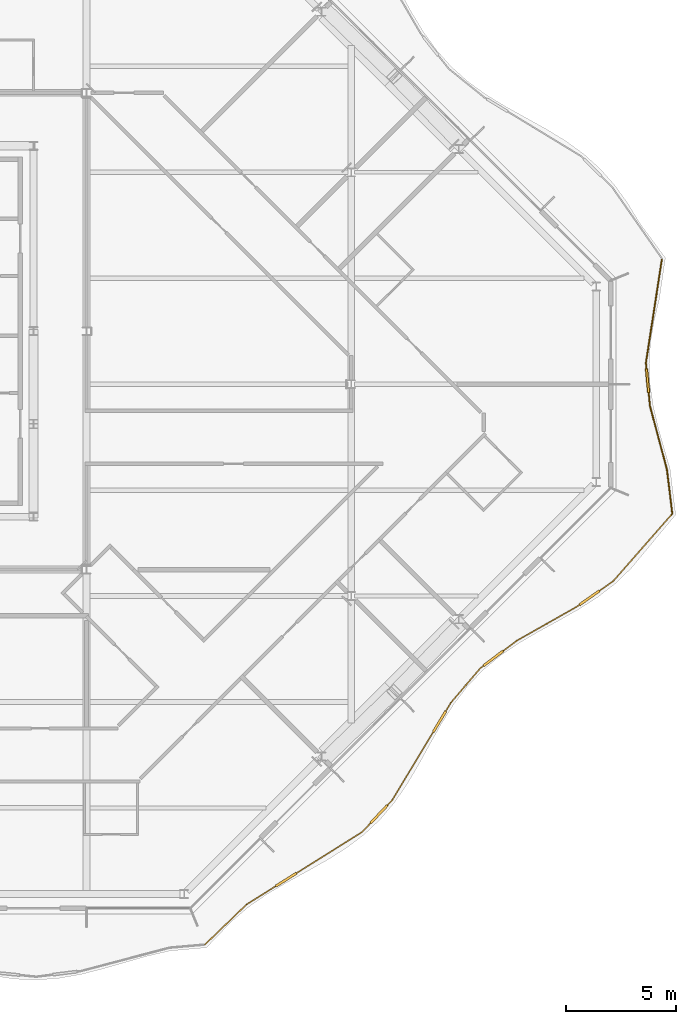
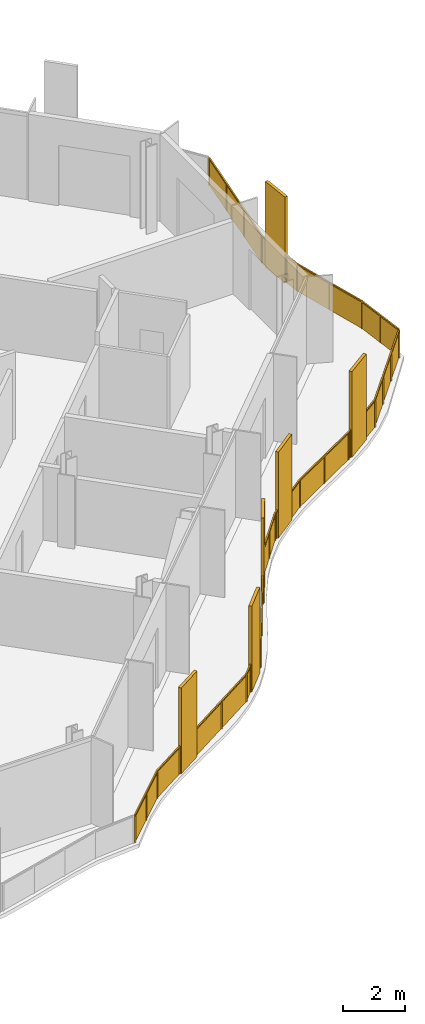
# One storey, part 15 of 17: 2 railings.
"""IFC4 building model written with IfcOpenShell, lengths in metres."""

from ifc_helpers import new_model, si_unit, direction, frame, origin, origin_2d, place, context, subcontext, project, spatial, polyline, rectangle, outline, extrude, material, type_object, element, save


model = new_model("IFC4")

# Units and contexts
model_context = context("Model", 3, precision=1e-05, world=origin(), true_north=direction((0.0, 1.0)))
body_context = subcontext(model_context, "Body", "Model", "MODEL_VIEW")
ifc_project = project(units=[si_unit("LENGTHUNIT", "METRE"), si_unit("AREAUNIT", "SQUARE_METRE"), si_unit("VOLUMEUNIT", "CUBIC_METRE"), si_unit("PLANEANGLEUNIT", "RADIAN"), si_unit("MASSUNIT", "GRAM", prefix="KILO")], contexts=[model_context])

# Site, building, storey
site_placement = place(None, origin())
site = spatial("IfcSite", under=ifc_project, at=site_placement, CompositionType="ELEMENT")
building_placement = place(site_placement, origin())
building = spatial("IfcBuilding", under=site, at=building_placement, Name="Cairn Pilgrim Tower", CompositionType="ELEMENT")
storey_placement = place(building_placement, frame((0.0, 0.0, 235.800048828125)))
storey = spatial("IfcBuildingStorey", under=building, at=storey_placement, Name="L60", CompositionType="ELEMENT", Elevation=235.800048828125)

# Railings
ifc_material = material(Name="Bronze anodised aluminium rail, posts and fin screens with laminated glass infill", Category="aluminium")
railing_type = type_object("IfcRailingType", Name="BALCONY GUARD WITH FIN SCREENS", PredefinedType="GUARDRAIL", material=ifc_material)
railing_1_placement = place(storey_placement, frame((24.570556640625, -25.391845703125, 0.0)))
element("IfcRailing", 1, at=railing_1_placement, inside=storey, type_object=railing_type, Name="Balcony guard BGF-2 with fin screens", PredefinedType="GUARDRAIL", context=body_context, shape_type="SweptSolid", body=[
    extrude(rectangle(XDim=0.050048828125, YDim=0.050048828125, at=origin_2d()), frame((0.0, 0.0, 1.0751953125), z_axis=(0.719435298955, 0.694559465142, 0.0), x_axis=(-0.694559465142, 0.719435298955, 0.0)), (0.0, 0.0, 1.0), 2.610595703125),
    extrude(rectangle(XDim=1.10009765625, YDim=0.110107421875, at=origin_2d()), frame((3.677734375, 2.941162109375, 0.0), z_axis=(0.0, 0.0, 1.0), x_axis=(0.847299279856, 0.531115741017, 0.0)), (0.0, 0.0, 1.0), 3.39990234375),
    extrude(rectangle(XDim=0.050048828125, YDim=0.050048828125, at=origin_2d()), frame((1.878173828125, 1.813232421875, 1.0751953125), z_axis=(0.847299279856, 0.531115741017, 0.0), x_axis=(-0.531115741017, 0.847299279856, 0.0)), (0.0, 0.0, 1.0), 1.57373046875),
    extrude(rectangle(XDim=0.050048828125, YDim=0.050048828125, at=origin_2d()), frame((4.1435546875, 3.2333984375, 1.0751953125), z_axis=(0.847299279856, 0.531115741017, 0.0), x_axis=(-0.531115741017, 0.847299279856, 0.0)), (0.0, 0.0, 1.0), 3.513427734375),
    extrude(rectangle(XDim=1.10009765625, YDim=0.110107421875, at=origin_2d()), frame((7.88427734375, 5.9072265625, 0.0), z_axis=(0.0, 0.0, 1.0), x_axis=(0.68688095649, 0.726769944075, 0.0)), (0.0, 0.0, 1.0), 3.39990234375),
    extrude(rectangle(XDim=0.050048828125, YDim=0.050048828125, at=origin_2d()), frame((7.12060546875, 5.099365234375, 1.0751953125), z_axis=(0.68688095649, 0.726769944075, 0.0), x_axis=(-0.726769944075, 0.68688095649, 0.0)), (0.0, 0.0, 1.0), 0.561767578125),
    extrude(rectangle(XDim=0.050048828125, YDim=0.050048828125, at=origin_2d()), frame((8.261962890625, 6.306884765625, 1.0751953125), z_axis=(0.68688095649, 0.726769944075, 0.0), x_axis=(-0.726769944075, 0.68688095649, 0.0)), (0.0, 0.0, 1.0), 0.315185546875),
    extrude(rectangle(XDim=1.10009765625, YDim=0.110107421875, at=origin_2d()), frame((10.626220703125, 10.10009765625, 0.0), z_axis=(0.0, 0.0, 1.0), x_axis=(0.516138536967, 0.856505114204, 0.0)), (0.0, 0.0, 1.0), 3.39990234375),
    extrude(rectangle(XDim=0.050048828125, YDim=0.050048828125, at=origin_2d()), frame((8.478515625, 6.5361328125, 1.0751953125), z_axis=(0.516138536967, 0.856505114204, 0.0), x_axis=(-0.856505114204, 0.516138536967, 0.0)), (0.0, 0.0, 1.0), 3.61083984375),
    extrude(rectangle(XDim=0.050048828125, YDim=0.050048828125, at=origin_2d()), frame((10.909912109375, 10.571044921875, 1.0751953125), z_axis=(0.516138536967, 0.856505114204, 0.0), x_axis=(-0.856505114204, 0.516138536967, 0.0)), (0.0, 0.0, 1.0), 0.4658203125),
    extrude(rectangle(XDim=0.050048828125, YDim=0.050048828125, at=origin_2d()), frame((11.150390625, 10.969970703125, 1.0751953125), z_axis=(0.649326335876, 0.760509901012, 0.0), x_axis=(-0.760509901012, 0.649326335876, 0.0)), (0.0, 0.0, 1.0), 2.046630859375),
    extrude(rectangle(XDim=1.10009765625, YDim=0.110107421875, at=origin_2d()), frame((13.0654296875, 12.96826171875, 0.0), z_axis=(0.0, 0.0, 1.0), x_axis=(0.798559368806, 0.601916052695, 0.0)), (0.0, 0.0, 1.0), 3.39990234375),
    extrude(rectangle(XDim=0.050048828125, YDim=0.050048828125, at=origin_2d()), frame((12.479248046875, 12.5263671875, 1.0751953125), z_axis=(0.798559368806, 0.601916052695, 0.0), x_axis=(-0.601916052695, 0.798559368806, 0.0)), (0.0, 0.0, 1.0), 0.18408203125),
    extrude(rectangle(XDim=0.050048828125, YDim=0.050048828125, at=origin_2d()), frame((13.504638671875, 13.29931640625, 1.0751953125), z_axis=(0.798559368806, 0.601916052695, 0.0), x_axis=(-0.601916052695, 0.798559368806, 0.0)), (0.0, 0.0, 1.0), 0.773193359375),
    extrude(rectangle(XDim=0.050048828125, YDim=0.050048828125, at=origin_2d()), frame((14.1220703125, 13.7646484375, 1.0751953125), z_axis=(0.870135809388, 0.492812005962, 0.0), x_axis=(-0.492812005962, 0.870135809388, 0.0)), (0.0, 0.0, 1.0), 3.1328125),
    extrude(rectangle(XDim=1.10009765625, YDim=0.110107421875, at=origin_2d()), frame((17.421142578125, 15.7109375, 0.0), z_axis=(0.0, 0.0, 1.0), x_axis=(0.818377893779, 0.574680452925, 0.0)), (0.0, 0.0, 1.0), 3.39990234375),
    extrude(rectangle(XDim=0.050048828125, YDim=0.050048828125, at=origin_2d()), frame((16.84814453125, 15.30859375, 1.0751953125), z_axis=(0.818377893779, 0.574680452925, 0.0), x_axis=(-0.574680452925, 0.818377893779, 0.0)), (0.0, 0.0, 1.0), 0.150146484375),
    extrude(rectangle(XDim=0.050048828125, YDim=0.050048828125, at=origin_2d()), frame((17.871337890625, 16.027099609375, 1.0751953125), z_axis=(0.818377893779, 0.574680452925, 0.0), x_axis=(-0.574680452925, 0.818377893779, 0.0)), (0.0, 0.0, 1.0), 0.766357421875),
    extrude(rectangle(XDim=0.050048828125, YDim=0.050048828125, at=origin_2d()), frame((18.49853515625, 16.467529296875, 1.0751953125), z_axis=(0.659070440781, 0.752081215089, 0.0), x_axis=(-0.752081215089, 0.659070440781, 0.0)), (0.0, 0.0, 1.0), 4.000244140625),
    extrude(rectangle(XDim=0.050048828125, YDim=0.050048828125, at=origin_2d()), origin(), (0.0, 0.0, 1.0), 1.050048828125),
    extrude(rectangle(XDim=0.050048828125, YDim=0.050048828125, at=origin_2d()), frame((0.939208984375, 0.90673828125, 0.0)), (0.0, 0.0, 1.0), 1.050048828125),
    extrude(rectangle(XDim=0.050048828125, YDim=0.050048828125, at=origin_2d()), frame((1.878173828125, 1.813232421875, 0.0)), (0.0, 0.0, 1.0), 1.050048828125),
    extrude(rectangle(XDim=0.050048828125, YDim=0.050048828125, at=origin_2d()), frame((3.1904296875, 2.6357421875, 0.0)), (0.0, 0.0, 1.0), 1.050048828125),
    extrude(rectangle(XDim=0.050048828125, YDim=0.050048828125, at=origin_2d()), frame((4.164794921875, 3.24658203125, 0.0)), (0.0, 0.0, 1.0), 1.050048828125),
    extrude(rectangle(XDim=0.050048828125, YDim=0.050048828125, at=origin_2d()), frame((5.642822265625, 4.173095703125, 0.0)), (0.0, 0.0, 1.0), 1.050048828125),
    extrude(rectangle(XDim=0.050048828125, YDim=0.050048828125, at=origin_2d()), frame((7.12060546875, 5.099365234375, 0.0)), (0.0, 0.0, 1.0), 1.050048828125),
    extrude(rectangle(XDim=0.050048828125, YDim=0.050048828125, at=origin_2d()), frame((7.4892578125, 5.4892578125, 0.0)), (0.0, 0.0, 1.0), 1.050048828125),
    extrude(rectangle(XDim=0.050048828125, YDim=0.050048828125, at=origin_2d()), frame((8.279052734375, 6.3251953125, 0.0)), (0.0, 0.0, 1.0), 1.050048828125),
    extrude(rectangle(XDim=0.050048828125, YDim=0.050048828125, at=origin_2d()), frame((8.478515625, 6.5361328125, 0.0)), (0.0, 0.0, 1.0), 1.050048828125),
    extrude(rectangle(XDim=0.050048828125, YDim=0.050048828125, at=origin_2d()), frame((9.40380859375, 8.07177734375, 0.0)), (0.0, 0.0, 1.0), 1.050048828125),
    extrude(rectangle(XDim=0.050048828125, YDim=0.050048828125, at=origin_2d()), frame((10.329345703125, 9.607421875, 0.0)), (0.0, 0.0, 1.0), 1.050048828125),
    extrude(rectangle(XDim=0.050048828125, YDim=0.050048828125, at=origin_2d()), frame((10.9228515625, 10.592529296875, 0.0)), (0.0, 0.0, 1.0), 1.050048828125),
    extrude(rectangle(XDim=0.050048828125, YDim=0.050048828125, at=origin_2d()), frame((11.150390625, 10.969970703125, 0.0)), (0.0, 0.0, 1.0), 1.050048828125),
    extrude(rectangle(XDim=0.050048828125, YDim=0.050048828125, at=origin_2d()), frame((11.81494140625, 11.748046875, 0.0)), (0.0, 0.0, 1.0), 1.050048828125),
    extrude(rectangle(XDim=0.050048828125, YDim=0.050048828125, at=origin_2d()), frame((12.479248046875, 12.5263671875, 0.0)), (0.0, 0.0, 1.0), 1.050048828125),
    extrude(rectangle(XDim=0.050048828125, YDim=0.050048828125, at=origin_2d()), frame((12.606201171875, 12.6220703125, 0.0)), (0.0, 0.0, 1.0), 1.050048828125),
    extrude(rectangle(XDim=0.050048828125, YDim=0.050048828125, at=origin_2d()), frame((13.524658203125, 13.314453125, 0.0)), (0.0, 0.0, 1.0), 1.050048828125),
    extrude(rectangle(XDim=0.050048828125, YDim=0.050048828125, at=origin_2d()), frame((14.1220703125, 13.7646484375, 0.0)), (0.0, 0.0, 1.0), 1.050048828125),
    extrude(rectangle(XDim=0.050048828125, YDim=0.050048828125, at=origin_2d()), frame((15.485107421875, 14.53662109375, 0.0)), (0.0, 0.0, 1.0), 1.050048828125),
    extrude(rectangle(XDim=0.050048828125, YDim=0.050048828125, at=origin_2d()), frame((16.84814453125, 15.30859375, 0.0)), (0.0, 0.0, 1.0), 1.050048828125),
    extrude(rectangle(XDim=0.050048828125, YDim=0.050048828125, at=origin_2d()), frame((16.95068359375, 15.380615234375, 0.0)), (0.0, 0.0, 1.0), 1.050048828125),
    extrude(rectangle(XDim=0.050048828125, YDim=0.050048828125, at=origin_2d()), frame((17.891845703125, 16.04150390625, 0.0)), (0.0, 0.0, 1.0), 1.050048828125),
    extrude(rectangle(XDim=0.050048828125, YDim=0.050048828125, at=origin_2d()), frame((18.49853515625, 16.467529296875, 0.0)), (0.0, 0.0, 1.0), 1.050048828125),
    extrude(rectangle(XDim=0.050048828125, YDim=0.050048828125, at=origin_2d()), frame((19.37744140625, 17.470458984375, 0.0)), (0.0, 0.0, 1.0), 1.050048828125),
    extrude(rectangle(XDim=0.050048828125, YDim=0.050048828125, at=origin_2d()), frame((20.256103515625, 18.47314453125, 0.0)), (0.0, 0.0, 1.0), 1.050048828125),
    extrude(rectangle(XDim=0.050048828125, YDim=0.050048828125, at=origin_2d()), frame((21.135009765625, 19.47607421875, 0.0)), (0.0, 0.0, 1.0), 1.050048828125),
    extrude(outline(polyline([(0.02490234375, 0.0), (1.2802734375, 0.0), (1.2802734375, 1.050048828125), (0.02490234375, 1.050048828125), (0.02490234375, 0.0)])), frame((-0.004150390625, 0.00439453125, 0.0), z_axis=(0.694559465142, -0.719435298955, 0.0), x_axis=(0.719435298955, 0.694559465142, 0.0)), (0.0, 0.0, 1.0), 0.011962890625),
    extrude(outline(polyline([(0.02490234375, 0.0), (1.2802734375, 0.0), (1.2802734375, 1.050048828125), (0.02490234375, 1.050048828125), (0.02490234375, 0.0)])), frame((0.934814453125, 0.910888671875, 0.0), z_axis=(0.694559465142, -0.719435298955, 0.0), x_axis=(0.719435298955, 0.694559465142, 0.0)), (0.0, 0.0, 1.0), 0.011962890625),
    extrude(outline(polyline([(0.02490234375, 0.0), (1.523681640625, 0.0), (1.523681640625, 1.050048828125), (0.02490234375, 1.050048828125), (0.02490234375, 0.0)])), frame((1.875, 1.818359375, 0.0), z_axis=(0.531115741017, -0.847299279856, 0.0), x_axis=(0.847299279856, 0.531115741017, 0.0)), (0.0, 0.0, 1.0), 0.011962890625),
    extrude(outline(polyline([(0.02490234375, 0.0), (1.71923828125, 0.0), (1.71923828125, 1.050048828125), (0.02490234375, 1.050048828125), (0.02490234375, 0.0)])), frame((4.16162109375, 3.251708984375, 0.0), z_axis=(0.531115741017, -0.847299279856, 0.0), x_axis=(0.847299279856, 0.531115741017, 0.0)), (0.0, 0.0, 1.0), 0.011962890625),
    extrude(outline(polyline([(0.02490234375, 0.0), (1.71923828125, 0.0), (1.71923828125, 1.050048828125), (0.02490234375, 1.050048828125), (0.02490234375, 0.0)])), frame((5.6396484375, 4.177978515625, 0.0), z_axis=(0.531115741017, -0.847299279856, 0.0), x_axis=(0.847299279856, 0.531115741017, 0.0)), (0.0, 0.0, 1.0), 0.011962890625),
    extrude(outline(polyline([(0.02490234375, 0.0), (0.51171875, 0.0), (0.51171875, 1.050048828125), (0.02490234375, 1.050048828125), (0.02490234375, 0.0)])), frame((7.1162109375, 5.103515625, 0.0), z_axis=(0.726769944075, -0.68688095649, 0.0), x_axis=(0.68688095649, 0.726769944075, 0.0)), (0.0, 0.0, 1.0), 0.011962890625),
    extrude(outline(polyline([(0.02490234375, 0.0), (0.26513671875, 0.0), (0.26513671875, 1.050048828125), (0.02490234375, 1.050048828125), (0.02490234375, 0.0)])), frame((8.27490234375, 6.329345703125, 0.0), z_axis=(0.726769944075, -0.68688095649, 0.0), x_axis=(0.68688095649, 0.726769944075, 0.0)), (0.0, 0.0, 1.0), 0.011962890625),
    extrude(outline(polyline([(0.02490234375, 0.0), (1.767822265625, 0.0), (1.767822265625, 1.050048828125), (0.02490234375, 1.050048828125), (0.02490234375, 0.0)])), frame((8.473388671875, 6.539306640625, 0.0), z_axis=(0.856505114204, -0.516138536967, 0.0), x_axis=(0.516138536967, 0.856505114204, 0.0)), (0.0, 0.0, 1.0), 0.011962890625),
    extrude(outline(polyline([(0.02490234375, 0.0), (1.767822265625, 0.0), (1.767822265625, 1.050048828125), (0.02490234375, 1.050048828125), (0.02490234375, 0.0)])), frame((9.39892578125, 8.074951171875, 0.0), z_axis=(0.856505114204, -0.516138536967, 0.0), x_axis=(0.516138536967, 0.856505114204, 0.0)), (0.0, 0.0, 1.0), 0.011962890625),
    extrude(outline(polyline([(0.02490234375, 0.0), (0.415771484375, 0.0), (0.415771484375, 1.050048828125), (0.02490234375, 1.050048828125), (0.02490234375, 0.0)])), frame((10.917724609375, 10.595703125, 0.0), z_axis=(0.856505114204, -0.516138536967, 0.0), x_axis=(0.516138536967, 0.856505114204, 0.0)), (0.0, 0.0, 1.0), 0.011962890625),
    extrude(outline(polyline([(0.02490234375, 0.0), (0.998291015625, 0.0), (0.998291015625, 1.050048828125), (0.02490234375, 1.050048828125), (0.02490234375, 0.0)])), frame((11.145751953125, 10.973876953125, 0.0), z_axis=(0.760509901012, -0.649326335876, 0.0), x_axis=(0.649326335876, 0.760509901012, 0.0)), (0.0, 0.0, 1.0), 0.011962890625),
    extrude(outline(polyline([(0.02490234375, 0.0), (0.998291015625, 0.0), (0.998291015625, 1.050048828125), (0.02490234375, 1.050048828125), (0.02490234375, 0.0)])), frame((11.810302734375, 11.751953125, 0.0), z_axis=(0.760509901012, -0.649326335876, 0.0), x_axis=(0.649326335876, 0.760509901012, 0.0)), (0.0, 0.0, 1.0), 0.011962890625),
    extrude(outline(polyline([(0.02490234375, 0.0), (0.134033203125, 0.0), (0.134033203125, 1.050048828125), (0.02490234375, 1.050048828125), (0.02490234375, 0.0)])), frame((12.4755859375, 12.53125, 0.0), z_axis=(0.601916052695, -0.798559368806, 0.0), x_axis=(0.798559368806, 0.601916052695, 0.0)), (0.0, 0.0, 1.0), 0.011962890625),
    extrude(outline(polyline([(0.02490234375, 0.0), (0.72314453125, 0.0), (0.72314453125, 1.050048828125), (0.02490234375, 1.050048828125), (0.02490234375, 0.0)])), frame((13.52099609375, 13.319091796875, 0.0), z_axis=(0.601916052695, -0.798559368806, 0.0), x_axis=(0.798559368806, 0.601916052695, 0.0)), (0.0, 0.0, 1.0), 0.011962890625),
    extrude(outline(polyline([(0.02490234375, 0.0), (1.54150390625, 0.0), (1.54150390625, 1.050048828125), (0.02490234375, 1.050048828125), (0.02490234375, 0.0)])), frame((14.119140625, 13.769775390625, 0.0), z_axis=(0.492812005962, -0.870135809388, 0.0), x_axis=(0.870135809388, 0.492812005962, 0.0)), (0.0, 0.0, 1.0), 0.011962890625),
    extrude(outline(polyline([(0.02490234375, 0.0), (1.54150390625, 0.0), (1.54150390625, 1.050048828125), (0.02490234375, 1.050048828125), (0.02490234375, 0.0)])), frame((15.482177734375, 14.541748046875, 0.0), z_axis=(0.492812005962, -0.870135809388, 0.0), x_axis=(0.870135809388, 0.492812005962, 0.0)), (0.0, 0.0, 1.0), 0.011962890625),
    extrude(outline(polyline([(0.02490234375, 0.0), (0.10009765625, 0.0), (0.10009765625, 1.050048828125), (0.02490234375, 1.050048828125), (0.02490234375, 0.0)])), frame((16.8447265625, 15.3134765625, 0.0), z_axis=(0.574680452925, -0.818377893779, 0.0), x_axis=(0.818377893779, 0.574680452925, 0.0)), (0.0, 0.0, 1.0), 0.011962890625),
    extrude(outline(polyline([(0.02490234375, 0.0), (0.71630859375, 0.0), (0.71630859375, 1.050048828125), (0.02490234375, 1.050048828125), (0.02490234375, 0.0)])), frame((17.888427734375, 16.04638671875, 0.0), z_axis=(0.574680452925, -0.818377893779, 0.0), x_axis=(0.818377893779, 0.574680452925, 0.0)), (0.0, 0.0, 1.0), 0.011962890625),
    extrude(outline(polyline([(0.02490234375, 0.0), (1.308349609375, 0.0), (1.308349609375, 1.050048828125), (0.02490234375, 1.050048828125), (0.02490234375, 0.0)])), frame((18.494140625, 16.471435546875, 0.0), z_axis=(0.752081215089, -0.659070440781, 0.0), x_axis=(0.659070440781, 0.752081215089, 0.0)), (0.0, 0.0, 1.0), 0.011962890625),
    extrude(outline(polyline([(0.02490234375, 0.0), (1.308349609375, 0.0), (1.308349609375, 1.050048828125), (0.02490234375, 1.050048828125), (0.02490234375, 0.0)])), frame((19.372802734375, 17.474365234375, 0.0), z_axis=(0.752081215089, -0.659070440781, 0.0), x_axis=(0.659070440781, 0.752081215089, 0.0)), (0.0, 0.0, 1.0), 0.011962890625),
    extrude(outline(polyline([(0.02490234375, 0.0), (1.308349609375, 0.0), (1.308349609375, 1.050048828125), (0.02490234375, 1.050048828125), (0.02490234375, 0.0)])), frame((20.251708984375, 18.47705078125, 0.0), z_axis=(0.752081215089, -0.659070440781, 0.0), x_axis=(0.659070440781, 0.752081215089, 0.0)), (0.0, 0.0, 1.0), 0.011962890625),
])
railing_2_placement = place(storey_placement, frame((45.7451171875, -5.870849609375, 0.0)))
element("IfcRailing", 2, at=railing_2_placement, inside=storey, type_object=railing_type, Name="Balcony guard BGF-3 with fin screens", PredefinedType="GUARDRAIL", context=body_context, shape_type="SweptSolid", body=[
    extrude(rectangle(XDim=0.050048828125, YDim=0.050048828125, at=origin_2d()), frame((0.0, 0.0, 1.0751953125), z_axis=(-0.120428960975, 0.992721947656, 0.0), x_axis=(-0.992721947656, -0.120428960975, 0.0)), (0.0, 0.0, 1.0), 2.01708984375),
    extrude(rectangle(XDim=0.050048828125, YDim=0.050048828125, at=origin_2d()), frame((-0.242919921875, 2.00244140625, 1.0751953125), z_axis=(-0.257912270307, 0.966168339797, 0.0), x_axis=(-0.966168339797, -0.257912270307, 0.0)), (0.0, 0.0, 1.0), 2.982666015625),
    extrude(rectangle(XDim=1.10009765625, YDim=0.110107421875, at=origin_2d()), frame((-1.11962890625, 6.028076171875, 0.0), z_axis=(0.0, 0.0, 1.0), x_axis=(-0.093556815656, 0.995613942371, 0.0)), (0.0, 0.0, 1.0), 3.39990234375),
    extrude(rectangle(XDim=0.050048828125, YDim=0.050048828125, at=origin_2d()), frame((-1.01220703125, 4.88427734375, 1.0751953125), z_axis=(-0.093556815656, 0.995613942371, 0.0), x_axis=(-0.995613942371, -0.093556815656, 0.0)), (0.0, 0.0, 1.0), 0.598876953125),
    extrude(rectangle(XDim=0.050048828125, YDim=0.050048828125, at=origin_2d()), frame((-1.171142578125, 6.57568359375, 1.0751953125), z_axis=(-0.093556815656, 0.995613942371, 0.0), x_axis=(-0.995613942371, -0.093556815656, 0.0)), (0.0, 0.0, 1.0), 0.260986328125),
    extrude(rectangle(XDim=0.050048828125, YDim=0.050048828125, at=origin_2d()), frame((-1.195556640625, 6.83544921875, 1.0751953125), z_axis=(0.152504059828, 0.98830284414, 0.0), x_axis=(-0.98830284414, 0.152504059828, 0.0)), (0.0, 0.0, 1.0), 4.720947265625),
    extrude(rectangle(XDim=0.050048828125, YDim=0.050048828125, at=origin_2d()), origin(), (0.0, 0.0, 1.0), 1.050048828125),
    extrude(rectangle(XDim=0.050048828125, YDim=0.050048828125, at=origin_2d()), frame((-0.12158203125, 1.001220703125, 0.0)), (0.0, 0.0, 1.0), 1.050048828125),
    extrude(rectangle(XDim=0.050048828125, YDim=0.050048828125, at=origin_2d()), frame((-0.242919921875, 2.00244140625, 0.0)), (0.0, 0.0, 1.0), 1.050048828125),
    extrude(rectangle(XDim=0.050048828125, YDim=0.050048828125, at=origin_2d()), frame((-0.62744140625, 3.443359375, 0.0)), (0.0, 0.0, 1.0), 1.050048828125),
    extrude(rectangle(XDim=0.050048828125, YDim=0.050048828125, at=origin_2d()), frame((-1.01220703125, 4.88427734375, 0.0)), (0.0, 0.0, 1.0), 1.050048828125),
    extrude(rectangle(XDim=0.050048828125, YDim=0.050048828125, at=origin_2d()), frame((-1.06591796875, 5.45556640625, 0.0)), (0.0, 0.0, 1.0), 1.050048828125),
    extrude(rectangle(XDim=0.050048828125, YDim=0.050048828125, at=origin_2d()), frame((-1.173583984375, 6.6005859375, 0.0)), (0.0, 0.0, 1.0), 1.050048828125),
    extrude(rectangle(XDim=0.050048828125, YDim=0.050048828125, at=origin_2d()), frame((-1.195556640625, 6.83544921875, 0.0)), (0.0, 0.0, 1.0), 1.050048828125),
    extrude(rectangle(XDim=0.050048828125, YDim=0.050048828125, at=origin_2d()), frame((-0.95556640625, 8.390625, 0.0)), (0.0, 0.0, 1.0), 1.050048828125),
    extrude(rectangle(XDim=0.050048828125, YDim=0.050048828125, at=origin_2d()), frame((-0.715576171875, 9.946044921875, 0.0)), (0.0, 0.0, 1.0), 1.050048828125),
    extrude(rectangle(XDim=0.050048828125, YDim=0.050048828125, at=origin_2d()), frame((-0.4755859375, 11.501220703125, 0.0)), (0.0, 0.0, 1.0), 1.050048828125),
    extrude(outline(polyline([(0.02490234375, 0.0), (0.983642578125, 0.0), (0.983642578125, 1.050048828125), (0.02490234375, 1.050048828125), (0.02490234375, 0.0)])), frame((-0.005859375, -0.000732421875, 0.0), z_axis=(0.992721947656, 0.120428960975, 0.0), x_axis=(-0.120428960975, 0.992721947656, 0.0)), (0.0, 0.0, 1.0), 0.011962890625),
    extrude(outline(polyline([(0.02490234375, 0.0), (0.983642578125, 0.0), (0.983642578125, 1.050048828125), (0.02490234375, 1.050048828125), (0.02490234375, 0.0)])), frame((-0.12744140625, 1.00048828125, 0.0), z_axis=(0.992721947656, 0.120428960975, 0.0), x_axis=(-0.120428960975, 0.992721947656, 0.0)), (0.0, 0.0, 1.0), 0.011962890625),
    extrude(outline(polyline([(0.02490234375, 0.0), (1.46630859375, 0.0), (1.46630859375, 1.050048828125), (0.02490234375, 1.050048828125), (0.02490234375, 0.0)])), frame((-0.248779296875, 2.0009765625, 0.0), z_axis=(0.966168339797, 0.257912270307, 0.0), x_axis=(-0.257912270307, 0.966168339797, 0.0)), (0.0, 0.0, 1.0), 0.011962890625),
    extrude(outline(polyline([(0.02490234375, 0.0), (1.46630859375, 0.0), (1.46630859375, 1.050048828125), (0.02490234375, 1.050048828125), (0.02490234375, 0.0)])), frame((-0.63330078125, 3.44189453125, 0.0), z_axis=(0.966168339797, 0.257912270307, 0.0), x_axis=(-0.257912270307, 0.966168339797, 0.0)), (0.0, 0.0, 1.0), 0.011962890625),
    extrude(outline(polyline([(0.02490234375, 0.0), (0.548828125, 0.0), (0.548828125, 1.050048828125), (0.02490234375, 1.050048828125), (0.02490234375, 0.0)])), frame((-1.01806640625, 4.8837890625, 0.0), z_axis=(0.995613942371, 0.093556815656, 0.0), x_axis=(-0.093556815656, 0.995613942371, 0.0)), (0.0, 0.0, 1.0), 0.011962890625),
    extrude(outline(polyline([(0.02490234375, 0.0), (0.2109375, 0.0), (0.2109375, 1.050048828125), (0.02490234375, 1.050048828125), (0.02490234375, 0.0)])), frame((-1.179443359375, 6.60009765625, 0.0), z_axis=(0.995613942371, 0.093556815656, 0.0), x_axis=(-0.093556815656, 0.995613942371, 0.0)), (0.0, 0.0, 1.0), 0.011962890625),
    extrude(outline(polyline([(0.02490234375, 0.0), (1.548583984375, 0.0), (1.548583984375, 1.050048828125), (0.02490234375, 1.050048828125), (0.02490234375, 0.0)])), frame((-1.201416015625, 6.83642578125, 0.0), z_axis=(0.98830284414, -0.152504059828, 0.0), x_axis=(0.152504059828, 0.98830284414, 0.0)), (0.0, 0.0, 1.0), 0.011962890625),
    extrude(outline(polyline([(0.02490234375, 0.0), (1.548583984375, 0.0), (1.548583984375, 1.050048828125), (0.02490234375, 1.050048828125), (0.02490234375, 0.0)])), frame((-0.96142578125, 8.3916015625, 0.0), z_axis=(0.98830284414, -0.152504059828, 0.0), x_axis=(0.152504059828, 0.98830284414, 0.0)), (0.0, 0.0, 1.0), 0.011962890625),
    extrude(outline(polyline([(0.02490234375, 0.0), (1.548583984375, 0.0), (1.548583984375, 1.050048828125), (0.02490234375, 1.050048828125), (0.02490234375, 0.0)])), frame((-0.721435546875, 9.94677734375, 0.0), z_axis=(0.98830284414, -0.152504059828, 0.0), x_axis=(0.152504059828, 0.98830284414, 0.0)), (0.0, 0.0, 1.0), 0.011962890625),
])

save(model, "model.ifc")
